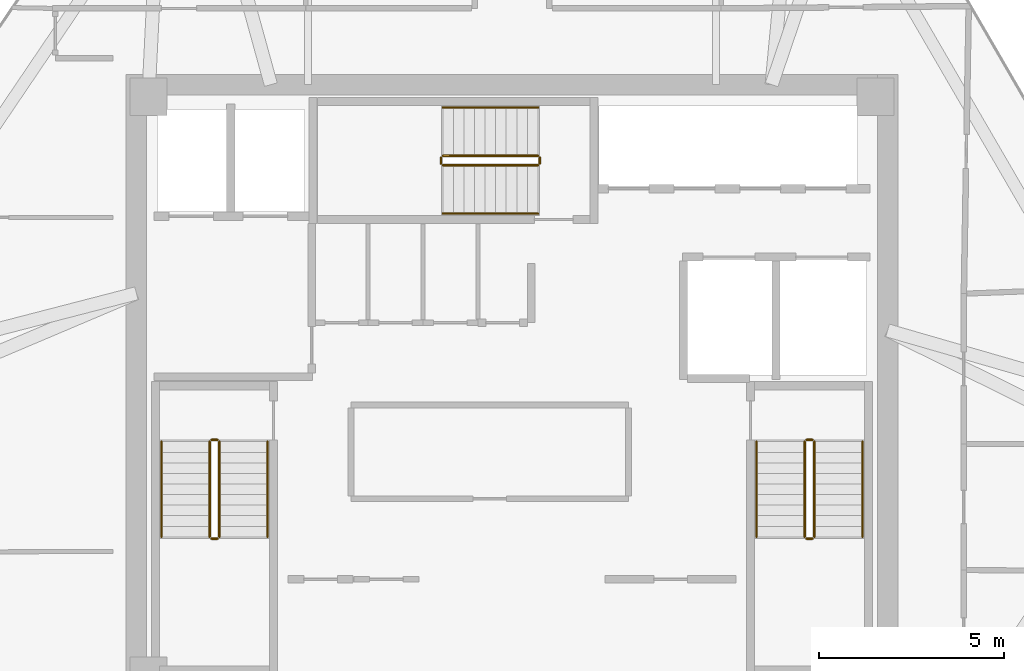
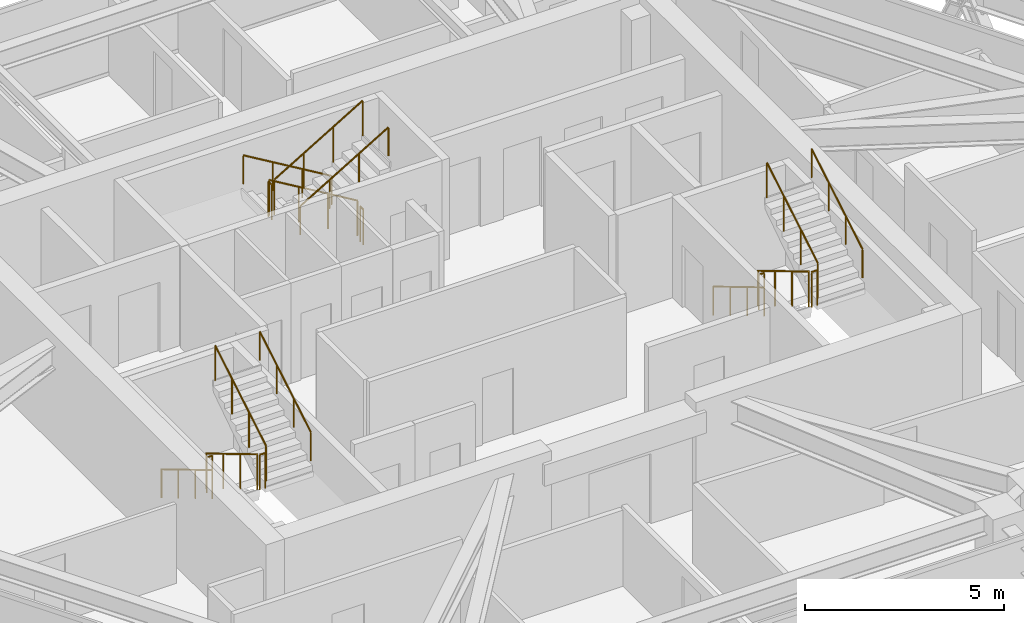
# One storey, part 14 of 14: 18 railings.
"""IFC4 building model written with IfcOpenShell, lengths in metres."""

import ifcopenshell
import ifcopenshell.guid

model = None  # the IFC model being written
_history = None  # IfcOwnerHistory: only IFC2X3 demands one
_inside = {}  # id of a spatial element -> (the spatial element, [elements in it])
_under = {}  # id of a project, library or spatial element -> (it, [spatial elements below it])
_declared = {}  # id of a project -> (the project, [libraries it declares])
_typed = {}  # id of a type object -> (the type object, [elements of that type])
_made_of = {}  # id of a material, layer set ... -> (it, [elements and type objects made of it])


def new_model(schema):
    """Start an empty IFC model of exactly this schema.

    Asked for "IFC4X3", IfcOpenShell would pick the latest addendum, in which some entities
    have other attributes; the version numbers below select the first issue.
    IFC2X3 requires an IfcOwnerHistory on every rooted entity: one is made here for all.
    """
    global model, _history
    if schema == "IFC4X3":
        model = ifcopenshell.file(schema_version=(4, 3, 0, 0))
    else:
        model = ifcopenshell.file(schema=schema)
    _inside.clear()
    _under.clear()
    _declared.clear()
    _typed.clear()
    _made_of.clear()
    _history = None
    if model.schema == "IFC2X3":
        org = make("IfcOrganization", Name="unknown")
        user = make(
            "IfcPersonAndOrganization",
            ThePerson=make("IfcPerson", FamilyName="unknown"),
            TheOrganization=org,
        )
        app = make(
            "IfcApplication",
            ApplicationDeveloper=org,
            Version="unknown",
            ApplicationFullName="unknown",
            ApplicationIdentifier="unknown",
        )
        _history = make(
            "IfcOwnerHistory",
            OwningUser=user,
            OwningApplication=app,
            ChangeAction="ADDED",
            CreationDate=0,
        )
    return model


def make(cls, **values):
    """One entity of the class cls with the attributes given. An attribute that is None is left unset."""
    return model.create_entity(
        cls, **{name: value for name, value in values.items() if value is not None}
    )


def rooted(cls, **values):
    """An entity with a GlobalId (a new one), such as an element, a storey or a relation."""
    return make(cls, GlobalId=ifcopenshell.guid.new(), OwnerHistory=_history, **values)


def si_unit(unit_type, name, prefix=None):
    """IfcSIUnit, for example si_unit("LENGTHUNIT", "METRE", prefix="MILLI")."""
    return make("IfcSIUnit", UnitType=unit_type, Prefix=prefix, Name=name)


def assignment(units):
    """IfcUnitAssignment: the units of a project."""
    return None if units is None else make("IfcUnitAssignment", Units=units)


def point(xyz):
    """IfcCartesianPoint."""
    return None if xyz is None else make("IfcCartesianPoint", Coordinates=xyz)


def direction(xyz):
    """IfcDirection."""
    return None if xyz is None else make("IfcDirection", DirectionRatios=xyz)


def frame(location, z_axis=None, x_axis=None):
    """IfcAxis2Placement3D, a coordinate frame: its origin and axes. An axis left out is left unset."""
    return make(
        "IfcAxis2Placement3D",
        Location=point(location),
        Axis=direction(z_axis),
        RefDirection=direction(x_axis),
    )


def frame_2d(location, x_axis=None):
    """IfcAxis2Placement2D, a coordinate frame in the plane: its origin and x axis."""
    return make(
        "IfcAxis2Placement2D", Location=point(location), RefDirection=direction(x_axis)
    )


def origin():
    """The frame at (0, 0, 0) with its axes left unset."""
    return frame((0.0, 0.0, 0.0))


def origin_2d():
    """The frame at (0, 0) in the plane with its x axis left unset."""
    return frame_2d((0.0, 0.0))


def place(relative_to, where):
    """IfcLocalPlacement: puts the frame where relative to a parent placement (None: the world)."""
    return make(
        "IfcLocalPlacement", PlacementRelTo=relative_to, RelativePlacement=where
    )


def context(
    kind, dimensions, precision=None, world=None, true_north=None, identifier=None
):
    """IfcGeometricRepresentationContext, for example the 3D "Model" context."""
    return make(
        "IfcGeometricRepresentationContext",
        ContextIdentifier=identifier,
        ContextType=kind,
        CoordinateSpaceDimension=dimensions,
        Precision=precision,
        WorldCoordinateSystem=world,
        TrueNorth=true_north,
    )


def subcontext(parent, identifier, kind, view, scale=None):
    """IfcGeometricRepresentationSubContext, for example "Body" below "Model"."""
    return make(
        "IfcGeometricRepresentationSubContext",
        ContextIdentifier=identifier,
        ContextType=kind,
        ParentContext=parent,
        TargetScale=scale,
        TargetView=view,
    )


def project(units=None, contexts=None):
    """IfcProject with its units and contexts."""
    return rooted(
        "IfcProject",
        Name="project",
        RepresentationContexts=contexts,
        UnitsInContext=assignment(units),
    )


def spatial(cls, under=None, at=None, **own):
    """A site, building, storey or space (cls), placed at a placement, below another one or the project."""
    s = rooted(cls, ObjectPlacement=at, **own)
    if under is not None:
        _under.setdefault(under.id(), (under, []))[1].append(s)
    return s


def profile(cls, at=None, kind="AREA", **sizes):
    """A parametric profile (cls). Its sizes go by their IFC names, for example OverallWidth=200.0."""
    return make(cls, ProfileType=kind, Position=at, **sizes)


def circle(**sizes):
    """IfcCircleProfileDef."""
    return profile("IfcCircleProfileDef", **sizes)


def extrude(swept, where, along, depth):
    """IfcExtrudedAreaSolid: the profile swept, set in the frame where, extruded along a direction by depth."""
    return make(
        "IfcExtrudedAreaSolid",
        SweptArea=swept,
        Position=where,
        ExtrudedDirection=direction(along),
        Depth=depth,
    )


def shape(context_of_items, identifier, shape_type, items):
    """IfcShapeRepresentation: the items that make up one representation, for example the "Body"."""
    return make(
        "IfcShapeRepresentation",
        ContextOfItems=context_of_items,
        RepresentationIdentifier=identifier,
        RepresentationType=shape_type,
        Items=items,
    )


def material(Name=None, Category=None):
    """IfcMaterial."""
    return make("IfcMaterial", Name=Name, Category=Category)


def made_of(thing, what):
    """Note that an element or type object is made of a material, layer set ...; save() writes the relation."""
    if what is not None:
        _made_of.setdefault(what.id(), (what, []))[1].append(thing)
    return thing


def type_object(cls, material=None, **own):
    """A type object (cls), such as IfcWallType, which elements share."""
    return made_of(rooted(cls, **own), material)


def element(
    cls,
    number,
    at=None,
    inside=None,
    cuts=None,
    type_object=None,
    material=None,
    context=None,
    identifier="Body",
    shape_type=None,
    held_by="IfcProductDefinitionShape",
    body=None,
    shapes=None,
    **own,
):
    """One element of the class cls, such as IfcWall. Its Tag is "e" and its number.

    at: its placement. inside: the storey or other place that contains it. cuts: it is an
    opening in that element (IfcRelVoidsElement). A single representation is given by context,
    identifier, shape_type and body (its items); several are given by shapes. held_by: the class
    of the entity that holds the representations. save() writes the other relations.
    """
    e = rooted(cls, Tag="e%d" % number, ObjectPlacement=at, **own)
    if body is not None:
        shapes = [shape(context, identifier, shape_type, body)]
    if shapes is not None:
        e.Representation = make(held_by, Representations=shapes)
    if inside is not None:
        _inside.setdefault(inside.id(), (inside, []))[1].append(e)
    if cuts is not None:
        rooted(
            "IfcRelVoidsElement", RelatingBuildingElement=cuts, RelatedOpeningElement=e
        )
    if type_object is not None:
        _typed.setdefault(type_object.id(), (type_object, []))[1].append(e)
    return made_of(e, material)


def aggregate(whole, parts):
    """IfcRelAggregates: a whole, such as a stair, and the parts it consists of."""
    return rooted("IfcRelAggregates", RelatingObject=whole, RelatedObjects=parts)


def save(model, path):
    """Write the relations noted so far, then the file.

    IfcRelAggregates (storeys below a building ...), IfcRelContainedInSpatialStructure (elements
    in a storey), IfcRelDefinesByType, IfcRelAssociatesMaterial and IfcRelDeclares: one each for
    every whole, place, type object, material and project.
    """
    for whole, parts in _under.values():
        aggregate(whole, parts)
    for where, things in _inside.values():
        rooted(
            "IfcRelContainedInSpatialStructure",
            RelatedElements=things,
            RelatingStructure=where,
        )
    for kind, things in _typed.values():
        rooted("IfcRelDefinesByType", RelatedObjects=things, RelatingType=kind)
    for what, things in _made_of.values():
        rooted("IfcRelAssociatesMaterial", RelatedObjects=things, RelatingMaterial=what)
    for by, libraries in _declared.values():
        rooted("IfcRelDeclares", RelatingContext=by, RelatedDefinitions=libraries)
    model.write(path)


model = new_model("IFC4")

# Units and contexts
model_context = context("Model", 3, precision=1e-05, world=origin(), true_north=direction((0.0, 1.0)))
body_context = subcontext(model_context, "Body", "Model", "MODEL_VIEW")
ifc_project = project(units=[si_unit("LENGTHUNIT", "METRE"), si_unit("AREAUNIT", "SQUARE_METRE"), si_unit("VOLUMEUNIT", "CUBIC_METRE"), si_unit("PLANEANGLEUNIT", "RADIAN"), si_unit("MASSUNIT", "GRAM", prefix="KILO")], contexts=[model_context])

# Site, building, storey
site_placement = place(None, origin())
site = spatial("IfcSite", under=ifc_project, at=site_placement, CompositionType="ELEMENT")
building_placement = place(site_placement, origin())
building = spatial("IfcBuilding", under=site, at=building_placement, Name="Durnholm Broadcast Tower", CompositionType="ELEMENT")
storey_placement = place(building_placement, frame((0.0, 0.0, 261.5)))
storey = spatial("IfcBuildingStorey", under=building, at=storey_placement, Name="L73", CompositionType="ELEMENT", Elevation=261.5)

# Railings
ifc_material_1 = material(Name="Painted Tubular Steel Stair Guardrail", Category="steel")
railing_type_1 = type_object("IfcRailingType", Name="RAIL-ST-GRD", PredefinedType="GUARDRAIL", material=ifc_material_1)
railing_1_placement = place(storey_placement, frame((-8.14990234375, -1.5, 0.169921875)))
element("IfcRailing", 1, at=railing_1_placement, inside=storey, type_object=railing_type_1, Name="L73 ST-1 stair guard 1", PredefinedType="GUARDRAIL", context=body_context, shape_type="SweptSolid", body=[
    extrude(circle(Radius=0.02392578125, at=origin_2d()), frame((0.0, 0.0, 1.076171875), z_axis=(0.0, -0.858810040619, 0.512294167576), x_axis=(1.0, 0.0, 0.0)), (0.0, 0.0, 1.0), 2.986572265625),
    extrude(circle(Radius=0.02099609375, at=origin_2d()), origin(), (0.0, 0.0, 1.0), 1.052001953125),
    extrude(circle(Radius=0.02099609375, at=origin_2d()), frame((0.0, -0.85498046875, 0.510009765625)), (0.0, 0.0, 1.0), 1.052001953125),
    extrude(circle(Radius=0.02099609375, at=origin_2d()), frame((0.0, -1.7099609375, 1.02001953125)), (0.0, 0.0, 1.0), 1.052001953125),
    extrude(circle(Radius=0.02099609375, at=origin_2d()), frame((0.0, -2.56494140625, 1.530029296875)), (0.0, 0.0, 1.0), 1.052001953125),
])
railing_2_placement = place(storey_placement, frame((-8.10009765625, -4.114990234375, 1.699951171875)))
element("IfcRailing", 2, at=railing_2_placement, inside=storey, type_object=railing_type_1, Name="L73 ST-1 stair guard 2", PredefinedType="GUARDRAIL", context=body_context, shape_type="SweptSolid", body=[
    extrude(circle(Radius=0.02392578125, at=origin_2d()), frame((0.0, 0.0, 1.076171875), z_axis=(1.0, 0.0, 0.0), x_axis=(0.0, 1.0, 0.0)), (0.0, 0.0, 1.0), 0.16015625),
    extrude(circle(Radius=0.02099609375, at=origin_2d()), origin(), (0.0, 0.0, 1.0), 1.052001953125),
    extrude(circle(Radius=0.02099609375, at=origin_2d()), frame((0.16015625, 0.0, 0.0)), (0.0, 0.0, 1.0), 1.052001953125),
])
railing_3_placement = place(storey_placement, frame((-7.889892578125, -4.06494140625, 1.8701171875)))
element("IfcRailing", 3, at=railing_3_placement, inside=storey, type_object=railing_type_1, Name="L73 ST-1 stair guard 3", PredefinedType="GUARDRAIL", context=body_context, shape_type="SweptSolid", body=[
    extrude(circle(Radius=0.02392578125, at=origin_2d()), frame((0.0, 0.0, 1.076171875), z_axis=(0.0, 0.858846004692, 0.512233872587), x_axis=(-1.0, 0.0, 0.0)), (0.0, 0.0, 1.0), 2.986572265625),
    extrude(circle(Radius=0.02099609375, at=origin_2d()), origin(), (0.0, 0.0, 1.0), 1.052001953125),
    extrude(circle(Radius=0.02099609375, at=origin_2d()), frame((0.0, 0.85498046875, 0.510009765625)), (0.0, 0.0, 1.0), 1.052001953125),
    extrude(circle(Radius=0.02099609375, at=origin_2d()), frame((0.0, 1.7099609375, 1.019775390625)), (0.0, 0.0, 1.0), 1.052001953125),
    extrude(circle(Radius=0.02099609375, at=origin_2d()), frame((0.0, 2.56494140625, 1.52978515625)), (0.0, 0.0, 1.0), 1.052001953125),
])
railing_4_placement = place(storey_placement, frame((-8.10009765625, -1.449951171875, 0.0)))
element("IfcRailing", 4, at=railing_4_placement, inside=storey, type_object=railing_type_1, Name="L73 ST-1 stair guard 4", PredefinedType="GUARDRAIL", context=body_context, shape_type="SweptSolid", body=[
    extrude(circle(Radius=0.02392578125, at=origin_2d()), frame((0.0, 0.0, 1.076171875), z_axis=(1.0, 0.0, 0.0), x_axis=(0.0, 1.0, 0.0)), (0.0, 0.0, 1.0), 0.16015625),
    extrude(circle(Radius=0.02099609375, at=origin_2d()), origin(), (0.0, 0.0, 1.0), 1.052001953125),
    extrude(circle(Radius=0.02099609375, at=origin_2d()), frame((0.16015625, 0.0, 0.0)), (0.0, 0.0, 1.0), 1.052001953125),
])
railing_5_placement = place(storey_placement, frame((7.889892578125, -1.5, 0.169921875)))
element("IfcRailing", 5, at=railing_5_placement, inside=storey, type_object=railing_type_1, Name="L73 ST-2 stair guard 1", PredefinedType="GUARDRAIL", context=body_context, shape_type="SweptSolid", body=[
    extrude(circle(Radius=0.02392578125, at=origin_2d()), frame((0.0, 0.0, 1.076171875), z_axis=(0.0, -0.858810040619, 0.512294167576), x_axis=(1.0, 0.0, 0.0)), (0.0, 0.0, 1.0), 2.986572265625),
    extrude(circle(Radius=0.02099609375, at=origin_2d()), origin(), (0.0, 0.0, 1.0), 1.052001953125),
    extrude(circle(Radius=0.02099609375, at=origin_2d()), frame((0.0, -0.85498046875, 0.510009765625)), (0.0, 0.0, 1.0), 1.052001953125),
    extrude(circle(Radius=0.02099609375, at=origin_2d()), frame((0.0, -1.7099609375, 1.02001953125)), (0.0, 0.0, 1.0), 1.052001953125),
    extrude(circle(Radius=0.02099609375, at=origin_2d()), frame((0.0, -2.56494140625, 1.530029296875)), (0.0, 0.0, 1.0), 1.052001953125),
])
railing_6_placement = place(storey_placement, frame((7.93994140625, -4.114990234375, 1.699951171875)))
element("IfcRailing", 6, at=railing_6_placement, inside=storey, type_object=railing_type_1, Name="L73 ST-2 stair guard 2", PredefinedType="GUARDRAIL", context=body_context, shape_type="SweptSolid", body=[
    extrude(circle(Radius=0.02392578125, at=origin_2d()), frame((0.0, 0.0, 1.076171875), z_axis=(1.0, 0.0, 0.0), x_axis=(0.0, 1.0, 0.0)), (0.0, 0.0, 1.0), 0.16015625),
    extrude(circle(Radius=0.02099609375, at=origin_2d()), origin(), (0.0, 0.0, 1.0), 1.052001953125),
    extrude(circle(Radius=0.02099609375, at=origin_2d()), frame((0.16015625, 0.0, 0.0)), (0.0, 0.0, 1.0), 1.052001953125),
])
railing_7_placement = place(storey_placement, frame((8.14990234375, -4.06494140625, 1.8701171875)))
element("IfcRailing", 7, at=railing_7_placement, inside=storey, type_object=railing_type_1, Name="L73 ST-2 stair guard 3", PredefinedType="GUARDRAIL", context=body_context, shape_type="SweptSolid", body=[
    extrude(circle(Radius=0.02392578125, at=origin_2d()), frame((0.0, 0.0, 1.076171875), z_axis=(0.0, 0.858846004692, 0.512233872587), x_axis=(-1.0, 0.0, 0.0)), (0.0, 0.0, 1.0), 2.986572265625),
    extrude(circle(Radius=0.02099609375, at=origin_2d()), origin(), (0.0, 0.0, 1.0), 1.052001953125),
    extrude(circle(Radius=0.02099609375, at=origin_2d()), frame((0.0, 0.85498046875, 0.510009765625)), (0.0, 0.0, 1.0), 1.052001953125),
    extrude(circle(Radius=0.02099609375, at=origin_2d()), frame((0.0, 1.7099609375, 1.019775390625)), (0.0, 0.0, 1.0), 1.052001953125),
    extrude(circle(Radius=0.02099609375, at=origin_2d()), frame((0.0, 2.56494140625, 1.52978515625)), (0.0, 0.0, 1.0), 1.052001953125),
])
railing_8_placement = place(storey_placement, frame((7.93994140625, -1.449951171875, 0.0)))
element("IfcRailing", 8, at=railing_8_placement, inside=storey, type_object=railing_type_1, Name="L73 ST-2 stair guard 4", PredefinedType="GUARDRAIL", context=body_context, shape_type="SweptSolid", body=[
    extrude(circle(Radius=0.02392578125, at=origin_2d()), frame((0.0, 0.0, 1.076171875), z_axis=(1.0, 0.0, 0.0), x_axis=(0.0, 1.0, 0.0)), (0.0, 0.0, 1.0), 0.16015625),
    extrude(circle(Radius=0.02099609375, at=origin_2d()), origin(), (0.0, 0.0, 1.0), 1.052001953125),
    extrude(circle(Radius=0.02099609375, at=origin_2d()), frame((0.16015625, 0.0, 0.0)), (0.0, 0.0, 1.0), 1.052001953125),
])
railing_9_placement = place(storey_placement, frame((0.699951171875, 6.2099609375, 0.169921875)))
element("IfcRailing", 9, at=railing_9_placement, inside=storey, type_object=railing_type_1, Name="L73 ST-3 stair guard 1", PredefinedType="GUARDRAIL", context=body_context, shape_type="SweptSolid", body=[
    extrude(circle(Radius=0.02392578125, at=origin_2d()), frame((0.0, 0.0, 1.076171875), z_axis=(-0.858810040619, 0.0, 0.512294167576), x_axis=(0.0, -1.0, 0.0)), (0.0, 0.0, 1.0), 2.986572265625),
    extrude(circle(Radius=0.02099609375, at=origin_2d()), origin(), (0.0, 0.0, 1.0), 1.052001953125),
    extrude(circle(Radius=0.02099609375, at=origin_2d()), frame((-0.85498046875, 0.0, 0.510009765625)), (0.0, 0.0, 1.0), 1.052001953125),
    extrude(circle(Radius=0.02099609375, at=origin_2d()), frame((-1.7099609375, 0.0, 1.02001953125)), (0.0, 0.0, 1.0), 1.052001953125),
    extrude(circle(Radius=0.02099609375, at=origin_2d()), frame((-2.56494140625, 0.0, 1.530029296875)), (0.0, 0.0, 1.0), 1.052001953125),
])
railing_10_placement = place(storey_placement, frame((-1.9150390625, 6.159912109375, 1.699951171875)))
element("IfcRailing", 10, at=railing_10_placement, inside=storey, type_object=railing_type_1, Name="L73 ST-3 stair guard 2", PredefinedType="GUARDRAIL", context=body_context, shape_type="SweptSolid", body=[
    extrude(circle(Radius=0.02392578125, at=origin_2d()), frame((0.0, 0.0, 1.076171875), z_axis=(0.0, -1.0, 0.0), x_axis=(1.0, 0.0, 0.0)), (0.0, 0.0, 1.0), 0.159912109375),
    extrude(circle(Radius=0.02099609375, at=origin_2d()), origin(), (0.0, 0.0, 1.0), 1.052001953125),
    extrude(circle(Radius=0.02099609375, at=origin_2d()), frame((0.0, -0.159912109375, 0.0)), (0.0, 0.0, 1.0), 1.052001953125),
])
railing_11_placement = place(storey_placement, frame((-1.864990234375, 5.949951171875, 1.8701171875)))
element("IfcRailing", 11, at=railing_11_placement, inside=storey, type_object=railing_type_1, Name="L73 ST-3 stair guard 3", PredefinedType="GUARDRAIL", context=body_context, shape_type="SweptSolid", body=[
    extrude(circle(Radius=0.02392578125, at=origin_2d()), frame((0.0, 0.0, 1.076171875), z_axis=(0.858846004692, 0.0, 0.512233872587), x_axis=(0.0, 1.0, 0.0)), (0.0, 0.0, 1.0), 2.986572265625),
    extrude(circle(Radius=0.02099609375, at=origin_2d()), origin(), (0.0, 0.0, 1.0), 1.052001953125),
    extrude(circle(Radius=0.02099609375, at=origin_2d()), frame((0.85498046875, 0.0, 0.510009765625)), (0.0, 0.0, 1.0), 1.052001953125),
    extrude(circle(Radius=0.02099609375, at=origin_2d()), frame((1.7099609375, 0.0, 1.019775390625)), (0.0, 0.0, 1.0), 1.052001953125),
    extrude(circle(Radius=0.02099609375, at=origin_2d()), frame((2.56494140625, 0.0, 1.52978515625)), (0.0, 0.0, 1.0), 1.052001953125),
])
railing_12_placement = place(storey_placement, frame((0.75, 6.159912109375, 0.0)))
element("IfcRailing", 12, at=railing_12_placement, inside=storey, type_object=railing_type_1, Name="L73 ST-3 stair guard 4", PredefinedType="GUARDRAIL", context=body_context, shape_type="SweptSolid", body=[
    extrude(circle(Radius=0.02392578125, at=origin_2d()), frame((0.0, 0.0, 1.076171875), z_axis=(0.0, -1.0, 0.0), x_axis=(1.0, 0.0, 0.0)), (0.0, 0.0, 1.0), 0.159912109375),
    extrude(circle(Radius=0.02099609375, at=origin_2d()), origin(), (0.0, 0.0, 1.0), 1.052001953125),
    extrude(circle(Radius=0.02099609375, at=origin_2d()), frame((0.0, -0.159912109375, 0.0)), (0.0, 0.0, 1.0), 1.052001953125),
])
ifc_material_2 = material(Name="Brushed Stainless Steel Handrail", Category="steel")
railing_type_2 = type_object("IfcRailingType", Name="RAIL-ST-HND", PredefinedType="HANDRAIL", material=ifc_material_2)
railing_13_placement = place(storey_placement, frame((-9.449951171875, -1.5, 0.340087890625)))
element("IfcRailing", 13, at=railing_13_placement, inside=storey, type_object=railing_type_2, Name="L73 ST-1 stair handrail 1", PredefinedType="HANDRAIL", context=body_context, shape_type="SweptSolid", body=[
    extrude(circle(Radius=0.02392578125, at=origin_2d()), frame((0.0, 0.0, 0.8759765625), z_axis=(0.0, -0.858810040619, 0.512294167576), x_axis=(1.0, 0.0, 0.0)), (0.0, 0.0, 1.0), 2.986572265625),
    extrude(circle(Radius=0.02099609375, at=origin_2d()), origin(), (0.0, 0.0, 1.0), 0.851806640625),
    extrude(circle(Radius=0.02099609375, at=origin_2d()), frame((0.0, -0.85498046875, 0.510009765625)), (0.0, 0.0, 1.0), 0.851806640625),
    extrude(circle(Radius=0.02099609375, at=origin_2d()), frame((0.0, -1.7099609375, 1.02001953125)), (0.0, 0.0, 1.0), 0.851806640625),
    extrude(circle(Radius=0.02099609375, at=origin_2d()), frame((0.0, -2.56494140625, 1.530029296875)), (0.0, 0.0, 1.0), 0.851806640625),
])
railing_14_placement = place(storey_placement, frame((-6.590087890625, -4.06494140625, 2.0400390625)))
element("IfcRailing", 14, at=railing_14_placement, inside=storey, type_object=railing_type_2, Name="L73 ST-1 stair handrail 2", PredefinedType="HANDRAIL", context=body_context, shape_type="SweptSolid", body=[
    extrude(circle(Radius=0.02392578125, at=origin_2d()), frame((0.0, 0.0, 0.8759765625), z_axis=(0.0, 0.858810040619, 0.512294167576), x_axis=(-1.0, 0.0, 0.0)), (0.0, 0.0, 1.0), 2.986572265625),
    extrude(circle(Radius=0.02099609375, at=origin_2d()), origin(), (0.0, 0.0, 1.0), 0.851806640625),
    extrude(circle(Radius=0.02099609375, at=origin_2d()), frame((0.0, 0.85498046875, 0.510009765625)), (0.0, 0.0, 1.0), 0.851806640625),
    extrude(circle(Radius=0.02099609375, at=origin_2d()), frame((0.0, 1.7099609375, 1.02001953125)), (0.0, 0.0, 1.0), 0.851806640625),
    extrude(circle(Radius=0.02099609375, at=origin_2d()), frame((0.0, 2.56494140625, 1.530029296875)), (0.0, 0.0, 1.0), 0.851806640625),
])
railing_15_placement = place(storey_placement, frame((6.590087890625, -1.5, 0.340087890625)))
element("IfcRailing", 15, at=railing_15_placement, inside=storey, type_object=railing_type_2, Name="L73 ST-2 stair handrail 1", PredefinedType="HANDRAIL", context=body_context, shape_type="SweptSolid", body=[
    extrude(circle(Radius=0.02392578125, at=origin_2d()), frame((0.0, 0.0, 0.8759765625), z_axis=(0.0, -0.858810040619, 0.512294167576), x_axis=(1.0, 0.0, 0.0)), (0.0, 0.0, 1.0), 2.986572265625),
    extrude(circle(Radius=0.02099609375, at=origin_2d()), origin(), (0.0, 0.0, 1.0), 0.851806640625),
    extrude(circle(Radius=0.02099609375, at=origin_2d()), frame((0.0, -0.85498046875, 0.510009765625)), (0.0, 0.0, 1.0), 0.851806640625),
    extrude(circle(Radius=0.02099609375, at=origin_2d()), frame((0.0, -1.7099609375, 1.02001953125)), (0.0, 0.0, 1.0), 0.851806640625),
    extrude(circle(Radius=0.02099609375, at=origin_2d()), frame((0.0, -2.56494140625, 1.530029296875)), (0.0, 0.0, 1.0), 0.851806640625),
])
railing_16_placement = place(storey_placement, frame((9.449951171875, -4.06494140625, 2.0400390625)))
element("IfcRailing", 16, at=railing_16_placement, inside=storey, type_object=railing_type_2, Name="L73 ST-2 stair handrail 2", PredefinedType="HANDRAIL", context=body_context, shape_type="SweptSolid", body=[
    extrude(circle(Radius=0.02392578125, at=origin_2d()), frame((0.0, 0.0, 0.8759765625), z_axis=(0.0, 0.858810040619, 0.512294167576), x_axis=(-1.0, 0.0, 0.0)), (0.0, 0.0, 1.0), 2.986572265625),
    extrude(circle(Radius=0.02099609375, at=origin_2d()), origin(), (0.0, 0.0, 1.0), 0.851806640625),
    extrude(circle(Radius=0.02099609375, at=origin_2d()), frame((0.0, 0.85498046875, 0.510009765625)), (0.0, 0.0, 1.0), 0.851806640625),
    extrude(circle(Radius=0.02099609375, at=origin_2d()), frame((0.0, 1.7099609375, 1.02001953125)), (0.0, 0.0, 1.0), 0.851806640625),
    extrude(circle(Radius=0.02099609375, at=origin_2d()), frame((0.0, 2.56494140625, 1.530029296875)), (0.0, 0.0, 1.0), 0.851806640625),
])
railing_17_placement = place(storey_placement, frame((0.699951171875, 7.510009765625, 0.340087890625)))
element("IfcRailing", 17, at=railing_17_placement, inside=storey, type_object=railing_type_2, Name="L73 ST-3 stair handrail 1", PredefinedType="HANDRAIL", context=body_context, shape_type="SweptSolid", body=[
    extrude(circle(Radius=0.02392578125, at=origin_2d()), frame((0.0, 0.0, 0.8759765625), z_axis=(-0.858810040619, 0.0, 0.512294167576), x_axis=(0.0, -1.0, 0.0)), (0.0, 0.0, 1.0), 2.986572265625),
    extrude(circle(Radius=0.02099609375, at=origin_2d()), origin(), (0.0, 0.0, 1.0), 0.851806640625),
    extrude(circle(Radius=0.02099609375, at=origin_2d()), frame((-0.85498046875, 0.0, 0.510009765625)), (0.0, 0.0, 1.0), 0.851806640625),
    extrude(circle(Radius=0.02099609375, at=origin_2d()), frame((-1.7099609375, 0.0, 1.02001953125)), (0.0, 0.0, 1.0), 0.851806640625),
    extrude(circle(Radius=0.02099609375, at=origin_2d()), frame((-2.56494140625, 0.0, 1.530029296875)), (0.0, 0.0, 1.0), 0.851806640625),
])
railing_18_placement = place(storey_placement, frame((-1.864990234375, 4.64990234375, 2.0400390625)))
element("IfcRailing", 18, at=railing_18_placement, inside=storey, type_object=railing_type_2, Name="L73 ST-3 stair handrail 2", PredefinedType="HANDRAIL", context=body_context, shape_type="SweptSolid", body=[
    extrude(circle(Radius=0.02392578125, at=origin_2d()), frame((0.0, 0.0, 0.8759765625), z_axis=(0.858810040619, 0.0, 0.512294167576), x_axis=(0.0, 1.0, 0.0)), (0.0, 0.0, 1.0), 2.986572265625),
    extrude(circle(Radius=0.02099609375, at=origin_2d()), origin(), (0.0, 0.0, 1.0), 0.851806640625),
    extrude(circle(Radius=0.02099609375, at=origin_2d()), frame((0.85498046875, 0.0, 0.510009765625)), (0.0, 0.0, 1.0), 0.851806640625),
    extrude(circle(Radius=0.02099609375, at=origin_2d()), frame((1.7099609375, 0.0, 1.02001953125)), (0.0, 0.0, 1.0), 0.851806640625),
    extrude(circle(Radius=0.02099609375, at=origin_2d()), frame((2.56494140625, 0.0, 1.530029296875)), (0.0, 0.0, 1.0), 0.851806640625),
])

save(model, "model.ifc")
